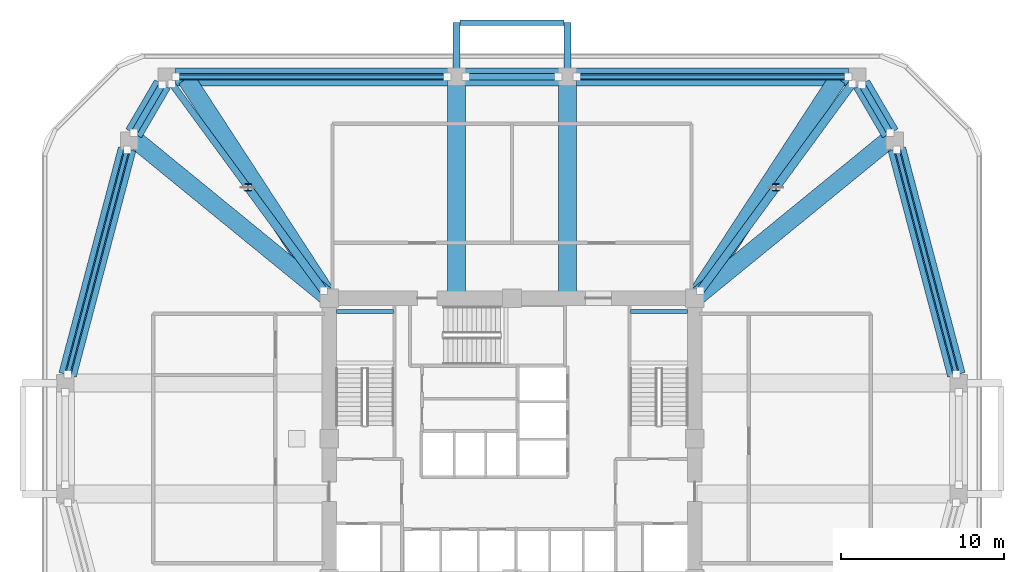
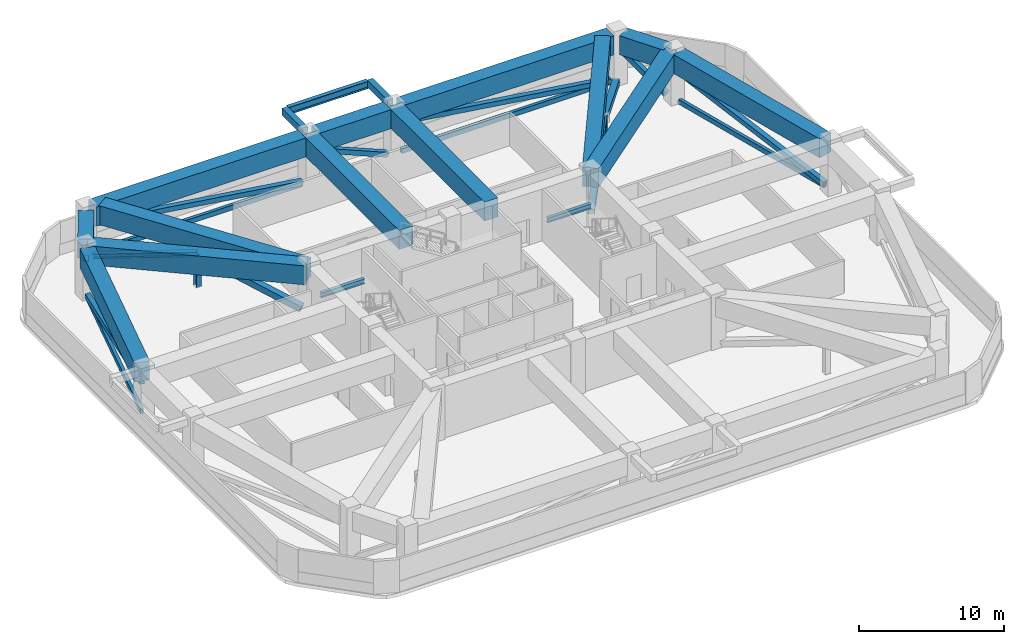
# One storey, part 3 of 10: 18 beams, 17 members.
"""IFC4 building model written with IfcOpenShell, lengths in metres."""

from ifc_helpers import new_model, si_unit, derived_unit, direction, frame, origin, origin_2d, place, context, subcontext, project, spatial, rectangle, hollow_rectangle, i_section, extrude, material, material_profile, profile_set, type_object, element, save


model = new_model("IFC4")

# Units and contexts
model_context = context("Model", 3, precision=1e-05, world=origin(), true_north=direction((0.0, 1.0)))
body_context = subcontext(model_context, "Body", "Model", "MODEL_VIEW")
ifc_project = project(units=[si_unit("LENGTHUNIT", "METRE"), si_unit("AREAUNIT", "SQUARE_METRE"), si_unit("VOLUMEUNIT", "CUBIC_METRE"), si_unit("PLANEANGLEUNIT", "RADIAN"), si_unit("MASSUNIT", "GRAM", prefix="KILO"), derived_unit("THERMALTRANSMITTANCEUNIT", [(si_unit("POWERUNIT", "WATT"), 1), (si_unit("LENGTHUNIT", "METRE"), -2), (si_unit("THERMODYNAMICTEMPERATUREUNIT", "KELVIN"), -1)])], contexts=[model_context])

# Site, building, storey
site_placement = place(None, origin())
site = spatial("IfcSite", under=ifc_project, at=site_placement, CompositionType="ELEMENT")
building_placement = place(site_placement, origin())
building = spatial("IfcBuilding", under=site, at=building_placement, Name="Koralith Skygarden Medical Center", CompositionType="ELEMENT")
storey_placement = place(building_placement, frame((0.0, 0.0, 70.739990234375)))
storey = spatial("IfcBuildingStorey", under=building, at=storey_placement, Name="L18", CompositionType="ELEMENT", Elevation=70.739990234375)

# Members
ifc_material_1 = material(Name="Steel ASTM A500 Grade C", Category="steel")
ifc_material_profile_1 = material_profile(ifc_material_1, hollow_rectangle(XDim=0.25, YDim=0.39990234375, WallThickness=0.01611328125, at=origin_2d()), Name="HSS400X250X16")
ifc_profile_set_1 = profile_set([ifc_material_profile_1], Name="Steel ASTM A500 Grade C")
member_type_1 = type_object("IfcMemberType", Name="Belt Truss Chord Member HSS400X250X16", PredefinedType="CHORD", material=ifc_profile_set_1)
member_1_placement = place(storey_placement, frame((64.237060546875, 29.841064453125, 0.219970703125), z_axis=(-0.255037236304, 0.966931232352, 0.0), x_axis=(-0.966931232352, -0.255037236304, 0.0)))
element("IfcMember", 1, at=member_1_placement, inside=storey, type_object=member_type_1, Name="L18 Belt Truss Bottom Chord BTC-09", PredefinedType="CHORD", context=body_context, shape_type="SweptSolid", body=[
    extrude(hollow_rectangle(XDim=0.25, YDim=0.39990234375, WallThickness=0.01611328125, at=origin_2d()), origin(), (0.0, 0.0, 1.0), 14.2490234375),
])
for number, where, z_axis, x_axis, name in (
    (2, (57.60791015625, 48.080078125, 0.219970703125), (-1.0, 0.0, 0.0), (0.0, -1.0, 0.0), "L18 Belt Truss Bottom Chord BTC-11"),
    (3, (33.0400390625, 48.080078125, 0.219970703125), (-1.0, 0.0, 0.0), (0.0, -1.0, 0.0), "L18 Belt Truss Bottom Chord BTC-13"),
):
    element("IfcMember", number, at=place(storey_placement, frame(where, z_axis=z_axis, x_axis=x_axis)), inside=storey, type_object=member_type_1, Name=name, PredefinedType="CHORD", context=body_context, shape_type="SweptSolid", body=[
        extrude(hollow_rectangle(XDim=0.25, YDim=0.39990234375, WallThickness=0.01611328125, at=origin_2d()), origin(), (0.0, 0.0, 1.0), 16.64794921875),
    ])
member_2_placement = place(storey_placement, frame((13.39697265625, 43.618896484375, 0.219970703125), z_axis=(-0.255037236304, -0.966931232352, 0.0), x_axis=(0.966931232352, -0.255037236304, 0.0)))
element("IfcMember", 4, at=member_2_placement, inside=storey, type_object=member_type_1, Name="L18 Belt Truss Bottom Chord BTC-15", PredefinedType="CHORD", context=body_context, shape_type="SweptSolid", body=[
    extrude(hollow_rectangle(XDim=0.25, YDim=0.39990234375, WallThickness=0.01611328125, at=origin_2d()), origin(), (0.0, 0.0, 1.0), 14.2490234375),
])
ifc_material_profile_2 = material_profile(ifc_material_1, hollow_rectangle(XDim=0.39990234375, YDim=0.39990234375, WallThickness=0.01806640625, at=origin_2d()), Name="HSS400X400X18")
ifc_profile_set_2 = profile_set([ifc_material_profile_2], Name="Steel ASTM A500 Grade C")
member_type_2 = type_object("IfcMemberType", Name="Belt Truss Diagonal HSS400X400X18", PredefinedType="BRACE", material=ifc_profile_set_2)
member_3_placement = place(storey_placement, frame((64.237060546875, 29.841064453125, 0.35009765625), z_axis=(-0.251552723856, 0.95372028338, 0.164738727051), x_axis=(-0.966931232352, -0.255037236304, 0.0)))
element("IfcMember", 5, at=member_3_placement, inside=storey, type_object=member_type_2, Name="L18 Perimeter Belt Truss Diagonal BTD-09", PredefinedType="BRACE", context=body_context, shape_type="SweptSolid", body=[
    extrude(hollow_rectangle(XDim=0.39990234375, YDim=0.39990234375, WallThickness=0.01806640625, at=origin_2d()), origin(), (0.0, 0.0, 1.0), 14.4462890625),
])
member_4_placement = place(storey_placement, frame((60.177001953125, 44.64306640625, 0.35009765625), z_axis=(-0.414170305627, 0.708776029389, 0.571051221959), x_axis=(-0.863398185261, -0.504523115117, 0.0)))
element("IfcMember", 6, at=member_4_placement, inside=storey, type_object=member_type_2, Name="L18 Perimeter Belt Truss Diagonal BTD-10", PredefinedType="BRACE", context=body_context, shape_type="SweptSolid", body=[
    extrude(hollow_rectangle(XDim=0.39990234375, YDim=0.39990234375, WallThickness=0.01806640625, at=origin_2d()), origin(), (0.0, 0.0, 1.0), 4.16748046875),
])
member_5_placement = place(storey_placement, frame((57.60791015625, 48.080078125, 0.35009765625), z_axis=(-0.989936133311, 0.0, 0.141514847155), x_axis=(0.0, -1.0, 0.0)))
element("IfcMember", 7, at=member_5_placement, inside=storey, type_object=member_type_2, Name="L18 Perimeter Belt Truss Diagonal BTD-11", PredefinedType="BRACE", context=body_context, shape_type="SweptSolid", body=[
    extrude(hollow_rectangle(XDim=0.39990234375, YDim=0.39990234375, WallThickness=0.01806640625, at=origin_2d()), origin(), (0.0, 0.0, 1.0), 16.817138671875),
])
member_6_placement = place(storey_placement, frame((39.840087890625, 48.080078125, 0.35009765625), z_axis=(-0.922317471745, 0.0, 0.386433023063), x_axis=(0.0, -1.0, 0.0)))
element("IfcMember", 8, at=member_6_placement, inside=storey, type_object=member_type_2, Name="L18 Perimeter Belt Truss Diagonal BTD-12", PredefinedType="BRACE", context=body_context, shape_type="SweptSolid", body=[
    extrude(hollow_rectangle(XDim=0.39990234375, YDim=0.39990234375, WallThickness=0.01806640625, at=origin_2d()), origin(), (0.0, 0.0, 1.0), 6.15869140625),
])
member_7_placement = place(storey_placement, frame((33.0400390625, 48.080078125, 0.35009765625), z_axis=(-0.989936133311, 0.0, 0.141514847155), x_axis=(0.0, -1.0, 0.0)))
element("IfcMember", 9, at=member_7_placement, inside=storey, type_object=member_type_2, Name="L18 Perimeter Belt Truss Diagonal BTD-13", PredefinedType="BRACE", context=body_context, shape_type="SweptSolid", body=[
    extrude(hollow_rectangle(XDim=0.39990234375, YDim=0.39990234375, WallThickness=0.01806640625, at=origin_2d()), origin(), (0.0, 0.0, 1.0), 16.817138671875),
])
member_8_placement = place(storey_placement, frame((15.549072265625, 47.596923828125, 0.35009765625), z_axis=(-0.414170305627, -0.708776029389, 0.571051221959), x_axis=(0.863398185261, -0.504523115117, 0.0)))
element("IfcMember", 10, at=member_8_placement, inside=storey, type_object=member_type_2, Name="L18 Perimeter Belt Truss Diagonal BTD-14", PredefinedType="BRACE", context=body_context, shape_type="SweptSolid", body=[
    extrude(hollow_rectangle(XDim=0.39990234375, YDim=0.39990234375, WallThickness=0.01806640625, at=origin_2d()), origin(), (0.0, 0.0, 1.0), 4.16748046875),
])
member_9_placement = place(storey_placement, frame((13.39697265625, 43.618896484375, 0.35009765625), z_axis=(-0.251552723856, -0.95372028338, 0.164738727051), x_axis=(0.966931232352, -0.255037236304, 0.0)))
element("IfcMember", 11, at=member_9_placement, inside=storey, type_object=member_type_2, Name="L18 Perimeter Belt Truss Diagonal BTD-15", PredefinedType="BRACE", context=body_context, shape_type="SweptSolid", body=[
    extrude(hollow_rectangle(XDim=0.39990234375, YDim=0.39990234375, WallThickness=0.01806640625, at=origin_2d()), origin(), (0.0, 0.0, 1.0), 14.4462890625),
])

# Beams
ifc_material_2 = material(Name="Steel ASTM A992 Grade 50", Category="steel")
ifc_material_profile_3 = material_profile(ifc_material_2, i_section(OverallWidth=0.326904296875, OverallDepth=0.6220703125, WebThickness=0.015380859375, FlangeThickness=0.0244140625, at=origin_2d()), Name="W24X131")
ifc_profile_set_3 = profile_set([ifc_material_profile_3], Name="Steel ASTM A992 Grade 50")
beam_type_1 = type_object("IfcBeamType", Name="Cantilever Tie Beam W24X131", PredefinedType="BEAM", material=ifc_profile_set_3)
beam_1_placement = place(storey_placement, frame((33.820068359375, 51.39990234375, 4.109130859375), z_axis=(1.0, 0.0, 0.0), x_axis=(0.0, 1.0, 0.0)))
element("IfcBeam", 12, at=beam_1_placement, inside=storey, type_object=beam_type_1, Name="L19 N Balcony Tip Tie Beam", PredefinedType="BEAM", context=body_context, shape_type="SweptSolid", body=[
    extrude(i_section(OverallWidth=0.326904296875, OverallDepth=0.6220703125, WebThickness=0.015380859375, FlangeThickness=0.0244140625, at=origin_2d()), origin(), (0.0, 0.0, 1.0), 6.35986328125),
])
ifc_material_profile_4 = material_profile(ifc_material_2, i_section(OverallWidth=0.260009765625, OverallDepth=0.4150390625, WebThickness=0.010009765625, FlangeThickness=0.016845703125, at=origin_2d()), Name="W16X67")
ifc_profile_set_4 = profile_set([ifc_material_profile_4], Name="Steel ASTM A992 Grade 50")
beam_type_2 = type_object("IfcBeamType", Name="Clinical Floor Joist W16X67", PredefinedType="JOIST", material=ifc_profile_set_4)
for number, where, z_axis, x_axis, name in (
    (13, (26.22998046875, 33.699951171875, 1.93212890625), (1.0, 0.0, 0.0), (0.0, 1.0, 0.0), "L18 Stair ST1 Half-Landing Support Beam 1B"),
    (14, (44.280029296875, 33.699951171875, 1.93212890625), (1.0, 0.0, 0.0), (0.0, 1.0, 0.0), "L18 Stair ST2 Half-Landing Support Beam 1B"),
):
    element("IfcBeam", number, at=place(storey_placement, frame(where, z_axis=z_axis, x_axis=x_axis)), inside=storey, type_object=beam_type_2, Name=name, PredefinedType="JOIST", context=body_context, shape_type="SweptSolid", body=[
        extrude(i_section(OverallWidth=0.260009765625, OverallDepth=0.4150390625, WebThickness=0.010009765625, FlangeThickness=0.016845703125, at=origin_2d()), origin(), (0.0, 0.0, 1.0), 3.489990234375),
    ])

# Members
ifc_material_profile_5 = material_profile(ifc_material_1, hollow_rectangle(XDim=0.5, YDim=0.5, WallThickness=0.02197265625, at=origin_2d()), Name="HSS500X500X22")
ifc_profile_set_5 = profile_set([ifc_material_profile_5], Name="Steel ASTM A500 Grade C")
member_type_3 = type_object("IfcMemberType", Name="Outrigger Primary Diagonal HSS500X500X22", PredefinedType="BRACE", material=ifc_profile_set_5)
for number, where, z_axis, x_axis, name in (
    (15, (48.537109375, 34.9599609375, 0.35009765625), (0.566290907883, 0.771677545248, 0.289531300223), (-0.806208632912, 0.591631338097, 0.0), "L18 Outrigger Truss Diagonal ORD-03A"),
    (16, (53.19189453125, 41.302978515625, 2.72998046875), (0.566443700203, 0.771564574494, -0.289533490094), (-0.806091164791, 0.591791377131, 0.0), "L18 Outrigger Truss Diagonal ORD-03B"),
    (17, (25.462890625, 34.9599609375, 0.35009765625), (-0.566290907883, 0.771677545248, 0.289531300223), (-0.806208632912, -0.591631338097, 0.0), "L18 Outrigger Truss Diagonal ORD-04A"),
):
    element("IfcMember", number, at=place(storey_placement, frame(where, z_axis=z_axis, x_axis=x_axis)), inside=storey, type_object=member_type_3, Name=name, PredefinedType="BRACE", context=body_context, shape_type="SweptSolid", body=[
        extrude(hollow_rectangle(XDim=0.5, YDim=0.5, WallThickness=0.02197265625, at=origin_2d()), origin(), (0.0, 0.0, 1.0), 8.2197265625),
    ])
ifc_material_profile_6 = material_profile(ifc_material_2, i_section(OverallWidth=0.39794921875, OverallDepth=0.386962890625, WebThickness=0.017578125, FlangeThickness=0.028076171875, at=origin_2d()), Name="W14X176")
ifc_profile_set_6 = profile_set([ifc_material_profile_6], Name="Steel ASTM A992 Grade 50")
member_type_4 = type_object("IfcMemberType", Name="Outrigger Secondary Strut W14X176", PredefinedType="BRACE", material=ifc_profile_set_6)
member_10_placement = place(storey_placement, frame((20.80810546875, 41.302978515625, 2.72998046875), z_axis=(-0.566443700203, 0.771564574494, -0.289533490094), x_axis=(-0.806091164791, -0.591791377131, 0.0)))
element("IfcMember", 18, at=member_10_placement, inside=storey, type_object=member_type_4, Name="L18 Outrigger Secondary Strut ORS-04B", PredefinedType="BRACE", context=body_context, shape_type="SweptSolid", body=[
    extrude(i_section(OverallWidth=0.39794921875, OverallDepth=0.386962890625, WebThickness=0.017578125, FlangeThickness=0.028076171875, at=origin_2d()), origin(), (0.0, 0.0, 1.0), 8.2197265625),
])
ifc_material_profile_7 = material_profile(ifc_material_2, i_section(OverallWidth=0.406005859375, OverallDepth=0.416015625, WebThickness=0.02490234375, FlangeThickness=0.0400390625, at=origin_2d()), Name="W14X257")
ifc_profile_set_7 = profile_set([ifc_material_profile_7], Name="Steel ASTM A992 Grade 50")
member_type_5 = type_object("IfcMemberType", Name="Outrigger Web Strut Post W14X257", PredefinedType="POST", material=ifc_profile_set_7)
for number, where, z_axis, x_axis, name in (
    (19, (53.19189453125, 41.302978515625, 0.0), (0.0, 0.0, 1.0), (1.0, 0.0, 0.0), "L18 Outrigger Truss Web Post ORP-03"),
    (20, (20.80810546875, 41.302978515625, 0.0), (0.0, 0.0, 1.0), (1.0, 0.0, 0.0), "L18 Outrigger Truss Web Post ORP-04"),
):
    element("IfcMember", number, at=place(storey_placement, frame(where, z_axis=z_axis, x_axis=x_axis)), inside=storey, type_object=member_type_5, Name=name, PredefinedType="POST", context=body_context, shape_type="SweptSolid", body=[
        extrude(i_section(OverallWidth=0.406005859375, OverallDepth=0.416015625, WebThickness=0.02490234375, FlangeThickness=0.0400390625, at=origin_2d()), origin(), (0.0, 0.0, 1.0), 2.72998046875),
    ])

# Beams
ifc_material_3 = material(Name="Concrete C45/55", Category="concrete")
ifc_material_profile_8 = material_profile(ifc_material_3, rectangle(XDim=0.449951171875, YDim=0.60009765625, at=origin_2d()), Name="RCB450X600")
ifc_profile_set_8 = profile_set([ifc_material_profile_8], Name="Concrete C45/55")
beam_type_3 = type_object("IfcBeamType", Name="Planted Balcony Cantilever Beam RCB450X600", PredefinedType="BEAM", material=ifc_profile_set_8)
for number, where, z_axis, x_axis, name in (
    (21, (33.60009765625, 48.60009765625, 4.1201171875), (0.0, 1.0, 0.0), (-1.0, 0.0, 0.0), "L19 N Balcony Cantilever Beam A"),
    (22, (40.39990234375, 48.60009765625, 4.1201171875), (0.0, 1.0, 0.0), (-1.0, 0.0, 0.0), "L19 N Balcony Cantilever Beam B"),
):
    element("IfcBeam", number, at=place(storey_placement, frame(where, z_axis=z_axis, x_axis=x_axis)), inside=storey, type_object=beam_type_3, Name=name, PredefinedType="BEAM", context=body_context, shape_type="SweptSolid", body=[
        extrude(rectangle(XDim=0.449951171875, YDim=0.60009765625, at=origin_2d()), origin(), (0.0, 0.0, 1.0), 2.7998046875),
    ])
ifc_material_4 = material(Name="Concrete C55/67", Category="concrete")
ifc_material_profile_9 = material_profile(ifc_material_4, rectangle(XDim=1.10009765625, YDim=1.60009765625, at=origin_2d()), Name="RCB1100X1600")
ifc_profile_set_9 = profile_set([ifc_material_profile_9], Name="Concrete C55/67")
beam_type_4 = type_object("IfcBeamType", Name="Upper Setback Transfer Girder RCB1100X1600", PredefinedType="USERDEFINED", material=ifc_profile_set_9)
beam_2_placement = place(storey_placement, frame((48.31591796875, 34.594970703125, 3.580078125), z_axis=(0.774579140367, 0.632476999826, 0.0), x_axis=(-0.632476999826, 0.774579140367, 0.0)))
element("IfcBeam", 23, at=beam_2_placement, inside=storey, type_object=beam_type_4, Name="L18 Setback Transfer Girder STG-10", ObjectType="TRANSFER GIRDER", PredefinedType="USERDEFINED", context=body_context, shape_type="SweptSolid", body=[
    extrude(rectangle(XDim=1.10009765625, YDim=1.60009765625, at=origin_2d()), origin(), (0.0, 0.0, 1.0), 15.34912109375),
])
beam_3_placement = place(storey_placement, frame((48.281982421875, 34.6259765625, 3.580078125), z_axis=(0.545993429659, 0.837789457304, 0.0), x_axis=(-0.837789457304, 0.545993429659, 0.0)))
element("IfcBeam", 24, at=beam_3_placement, inside=storey, type_object=beam_type_4, Name="L18 Setback Transfer Girder STG-11", ObjectType="TRANSFER GIRDER", PredefinedType="USERDEFINED", context=body_context, shape_type="SweptSolid", body=[
    extrude(rectangle(XDim=1.10009765625, YDim=1.60009765625, at=origin_2d()), origin(), (0.0, 0.0, 1.0), 15.90869140625),
])
for number, where, z_axis, x_axis, name in (
    (25, (40.39990234375, 34.64990234375, 3.580078125), (0.0, 1.0, 0.0), (-1.0, 0.0, 0.0), "L18 Setback Transfer Girder STG-12"),
    (26, (33.60009765625, 34.64990234375, 3.580078125), (0.0, 1.0, 0.0), (-1.0, 0.0, 0.0), "L18 Setback Transfer Girder STG-13"),
):
    element("IfcBeam", number, at=place(storey_placement, frame(where, z_axis=z_axis, x_axis=x_axis)), inside=storey, type_object=beam_type_4, Name=name, ObjectType="TRANSFER GIRDER", PredefinedType="USERDEFINED", context=body_context, shape_type="SweptSolid", body=[
        extrude(rectangle(XDim=1.10009765625, YDim=1.60009765625, at=origin_2d()), origin(), (0.0, 0.0, 1.0), 13.280029296875),
    ])
beam_4_placement = place(storey_placement, frame((25.718017578125, 34.6259765625, 3.580078125), z_axis=(-0.545993429659, 0.837789457304, 0.0), x_axis=(-0.837789457304, -0.545993429659, 0.0)))
element("IfcBeam", 27, at=beam_4_placement, inside=storey, type_object=beam_type_4, Name="L18 Setback Transfer Girder STG-14", ObjectType="TRANSFER GIRDER", PredefinedType="USERDEFINED", context=body_context, shape_type="SweptSolid", body=[
    extrude(rectangle(XDim=1.10009765625, YDim=1.60009765625, at=origin_2d()), origin(), (0.0, 0.0, 1.0), 15.90869140625),
])
beam_5_placement = place(storey_placement, frame((25.68408203125, 34.594970703125, 3.580078125), z_axis=(-0.774579140367, 0.632476999826, 0.0), x_axis=(-0.632476999826, -0.774579140367, 0.0)))
element("IfcBeam", 28, at=beam_5_placement, inside=storey, type_object=beam_type_4, Name="L18 Setback Transfer Girder STG-15", ObjectType="TRANSFER GIRDER", PredefinedType="USERDEFINED", context=body_context, shape_type="SweptSolid", body=[
    extrude(rectangle(XDim=1.10009765625, YDim=1.60009765625, at=origin_2d()), origin(), (0.0, 0.0, 1.0), 15.34912109375),
])
beam_6_placement = place(storey_placement, frame((64.2451171875, 29.81201171875, 3.580078125), z_axis=(-0.255088684842, 0.966917660851, 0.0), x_axis=(-0.966917660851, -0.255088684842, 0.0)))
element("IfcBeam", 29, at=beam_6_placement, inside=storey, type_object=beam_type_4, Name="L18 Perimeter Spandrel Beam SP-09", ObjectType="TRANSFER GIRDER", PredefinedType="USERDEFINED", context=body_context, shape_type="SweptSolid", body=[
    extrude(rectangle(XDim=1.10009765625, YDim=1.60009765625, at=origin_2d()), origin(), (0.0, 0.0, 1.0), 14.309326171875),
])
beam_7_placement = place(storey_placement, frame((60.19189453125, 44.617919921875, 3.580078125), z_axis=(-0.504608092658, 0.863348523381, 0.0), x_axis=(-0.863348523381, -0.504608092658, 0.0)))
element("IfcBeam", 30, at=beam_7_placement, inside=storey, type_object=beam_type_4, Name="L18 Perimeter Spandrel Beam SP-10", ObjectType="TRANSFER GIRDER", PredefinedType="USERDEFINED", context=body_context, shape_type="SweptSolid", body=[
    extrude(rectangle(XDim=1.10009765625, YDim=1.60009765625, at=origin_2d()), origin(), (0.0, 0.0, 1.0), 3.479736328125),
])
beam_8_placement = place(storey_placement, frame((57.637939453125, 48.080078125, 3.580078125), z_axis=(-1.0, 0.0, 0.0), x_axis=(0.0, -1.0, 0.0)))
element("IfcBeam", 31, at=beam_8_placement, inside=storey, type_object=beam_type_4, Name="L18 Perimeter Spandrel Beam SP-11", ObjectType="TRANSFER GIRDER", PredefinedType="USERDEFINED", context=body_context, shape_type="SweptSolid", body=[
    extrude(rectangle(XDim=1.10009765625, YDim=1.60009765625, at=origin_2d()), origin(), (0.0, 0.0, 1.0), 16.7080078125),
])
beam_9_placement = place(storey_placement, frame((39.8701171875, 48.080078125, 3.580078125), z_axis=(-1.0, 0.0, 0.0), x_axis=(0.0, -1.0, 0.0)))
element("IfcBeam", 32, at=beam_9_placement, inside=storey, type_object=beam_type_4, Name="L18 Perimeter Spandrel Beam SP-12", ObjectType="TRANSFER GIRDER", PredefinedType="USERDEFINED", context=body_context, shape_type="SweptSolid", body=[
    extrude(rectangle(XDim=1.10009765625, YDim=1.60009765625, at=origin_2d()), origin(), (0.0, 0.0, 1.0), 5.740234375),
])
beam_10_placement = place(storey_placement, frame((33.070068359375, 48.080078125, 3.580078125), z_axis=(-1.0, 0.0, 0.0), x_axis=(0.0, -1.0, 0.0)))
element("IfcBeam", 33, at=beam_10_placement, inside=storey, type_object=beam_type_4, Name="L18 Perimeter Spandrel Beam SP-13", ObjectType="TRANSFER GIRDER", PredefinedType="USERDEFINED", context=body_context, shape_type="SweptSolid", body=[
    extrude(rectangle(XDim=1.10009765625, YDim=1.60009765625, at=origin_2d()), origin(), (0.0, 0.0, 1.0), 16.7080078125),
])
beam_11_placement = place(storey_placement, frame((15.56396484375, 47.6220703125, 3.580078125), z_axis=(-0.504608092658, -0.863348523381, 0.0), x_axis=(0.863348523381, -0.504608092658, 0.0)))
element("IfcBeam", 34, at=beam_11_placement, inside=storey, type_object=beam_type_4, Name="L18 Perimeter Spandrel Beam SP-14", ObjectType="TRANSFER GIRDER", PredefinedType="USERDEFINED", context=body_context, shape_type="SweptSolid", body=[
    extrude(rectangle(XDim=1.10009765625, YDim=1.60009765625, at=origin_2d()), origin(), (0.0, 0.0, 1.0), 3.479736328125),
])
beam_12_placement = place(storey_placement, frame((13.405029296875, 43.64794921875, 3.580078125), z_axis=(-0.255088684842, -0.966917660851, 0.0), x_axis=(0.966917660851, -0.255088684842, 0.0)))
element("IfcBeam", 35, at=beam_12_placement, inside=storey, type_object=beam_type_4, Name="L18 Perimeter Spandrel Beam SP-15", ObjectType="TRANSFER GIRDER", PredefinedType="USERDEFINED", context=body_context, shape_type="SweptSolid", body=[
    extrude(rectangle(XDim=1.10009765625, YDim=1.60009765625, at=origin_2d()), origin(), (0.0, 0.0, 1.0), 14.309326171875),
])

save(model, "model.ifc")
